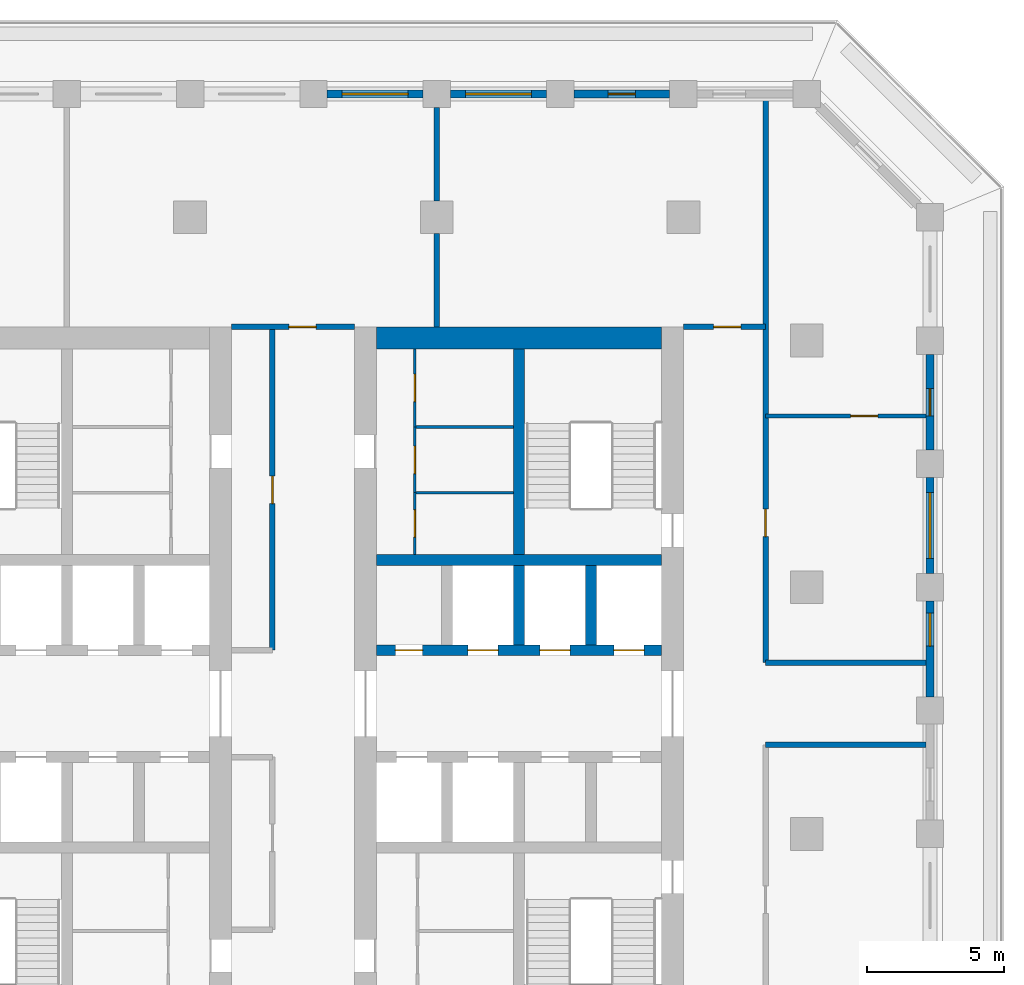
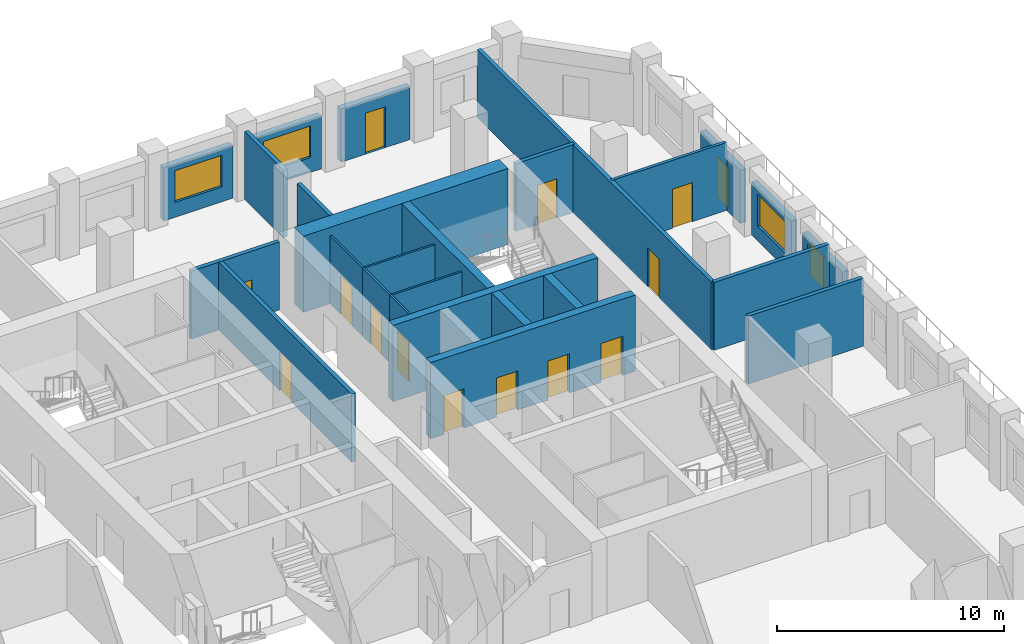
# One storey, part 7 of 16: 26 walls, 14 doors, 4 windows, 18 openings.
"""IFC4 building model written with IfcOpenShell, lengths in metres."""

from ifc_helpers import new_model, si_unit, direction, frame, frame_2d, origin, place, context, subcontext, project, spatial, rectangle, extrude, material, layer, layer_set, type_object, element, fill, save


model = new_model("IFC4")

# Units and contexts
model_context = context("Model", 3, precision=1e-05, world=origin(), true_north=direction((0.0, 1.0)))
body_context = subcontext(model_context, "Body", "Model", "MODEL_VIEW")
ifc_project = project(units=[si_unit("LENGTHUNIT", "METRE"), si_unit("AREAUNIT", "SQUARE_METRE"), si_unit("VOLUMEUNIT", "CUBIC_METRE"), si_unit("PLANEANGLEUNIT", "RADIAN"), si_unit("MASSUNIT", "GRAM", prefix="KILO")], contexts=[model_context])

# Site, building, storey
site_placement = place(None, origin())
site = spatial("IfcSite", under=ifc_project, at=site_placement, CompositionType="ELEMENT")
building_placement = place(site_placement, origin())
building = spatial("IfcBuilding", under=site, at=building_placement, Name="Corbel Stack Research Tower", CompositionType="ELEMENT")
storey_placement = place(building_placement, frame((0.0, 0.0, 169.10009765625)))
storey = spatial("IfcBuildingStorey", under=building, at=storey_placement, Name="L38", CompositionType="ELEMENT", Elevation=169.10009765625)

# Wall, openings, doors
ifc_material_1 = material(Name="Concrete C60/75", Category="concrete")
ifc_layer_1 = layer(ifc_material_1, 0.39990234375)
ifc_layer_set_1 = layer_set([ifc_layer_1], Name="Concrete C60/75")
wall_type_1 = type_object("IfcWallType", Name="CW-400-60", PredefinedType="SHEAR", material=ifc_layer_set_1)
wall_1_placement = place(storey_placement, frame((6.800048828125, 6.699951171875, 0.0), z_axis=(0.0, 0.0, 1.0), x_axis=(1.0, 0.0, 0.0)))
wall_1 = element("IfcWall", 1, at=wall_1_placement, inside=storey, type_object=wall_type_1, Name="East core wall, lobby north L38", PredefinedType="SHEAR", context=body_context, shape_type="SweptSolid", body=[
    extrude(rectangle(XDim=10.39990234375, YDim=0.39990234375, at=frame_2d((5.199951171875, 0.0))), origin(), (0.0, 0.0, 1.0), 4.099853515625),
])
opening_1_placement = place(wall_1_placement, frame((3.33740234375, 0.0, 0.0)))
opening_1 = element("IfcOpeningElement", 2, at=opening_1_placement, cuts=wall_1, Name="Opening LD-HR4", PredefinedType="OPENING", context=body_context, shape_type="SweptSolid", body=[
    extrude(rectangle(XDim=1.10009765625, YDim=2.10009765625, at=frame_2d((0.550048828125, 1.050048828125))), frame((0.0, 0.2099609375, 0.0), z_axis=(0.0, -1.0, 0.0), x_axis=(1.0, 0.0, 0.0)), (0.0, 0.0, 1.0), 0.419921875),
])
opening_2_placement = place(wall_1_placement, frame((5.96240234375, 0.0, 0.0)))
opening_2 = element("IfcOpeningElement", 3, at=opening_2_placement, cuts=wall_1, Name="Opening LD-HR5", PredefinedType="OPENING", context=body_context, shape_type="SweptSolid", body=[
    extrude(rectangle(XDim=1.10009765625, YDim=2.10009765625, at=frame_2d((0.550048828125, 1.050048828125))), frame((0.0, 0.2099609375, 0.0), z_axis=(0.0, -1.0, 0.0), x_axis=(1.0, 0.0, 0.0)), (0.0, 0.0, 1.0), 0.419921875),
])
opening_3_placement = place(wall_1_placement, frame((8.66259765625, 0.0, 0.0)))
opening_3 = element("IfcOpeningElement", 4, at=opening_3_placement, cuts=wall_1, Name="Opening LD-HR6", PredefinedType="OPENING", context=body_context, shape_type="SweptSolid", body=[
    extrude(rectangle(XDim=1.10009765625, YDim=2.10009765625, at=frame_2d((0.550048828125, 1.050048828125))), frame((0.0, 0.2099609375, 0.0), z_axis=(0.0, -1.0, 0.0), x_axis=(1.0, 0.0, 0.0)), (0.0, 0.0, 1.0), 0.419921875),
])
opening_4_placement = place(wall_1_placement, frame((0.6875, 0.0, 0.0)))
opening_4 = element("IfcOpeningElement", 5, at=opening_4_placement, cuts=wall_1, Name="Opening CR-E12-N1", PredefinedType="OPENING", context=body_context, shape_type="SweptSolid", body=[
    extrude(rectangle(XDim=1.0, YDim=2.10009765625, at=frame_2d((0.5, 1.050048828125))), frame((0.0, 0.2099609375, 0.0), z_axis=(0.0, -1.0, 0.0), x_axis=(1.0, 0.0, 0.0)), (0.0, 0.0, 1.0), 0.419921875),
])
ifc_material_2 = material(Name="Stainless steel landing door", Category="steel")
door_type_1 = type_object("IfcDoorType", Name="Lift landing door 1100 x 2100", OperationType="DOUBLE_DOOR_SLIDING", PredefinedType="DOOR", material=ifc_material_2)
door_1_placement = place(opening_1_placement, origin())
door_1 = element("IfcDoor", 6, at=door_1_placement, inside=storey, type_object=door_type_1, Name="Landing door HR4", OperationType="DOUBLE_DOOR_SLIDING", OverallHeight=2.10009765625, OverallWidth=1.10009765625, PredefinedType="DOOR", context=body_context, shape_type="SweptSolid", body=[
    extrude(rectangle(XDim=1.10009765625, YDim=2.10009765625, at=frame_2d((0.550048828125, 1.050048828125))), frame((0.0, 0.02490234375, 0.0), z_axis=(0.0, -1.0, 0.0), x_axis=(1.0, 0.0, 0.0)), (0.0, 0.0, 1.0), 0.050048828125),
])
fill(opening_1, door_1)
door_2_placement = place(opening_2_placement, origin())
door_2 = element("IfcDoor", 7, at=door_2_placement, inside=storey, type_object=door_type_1, Name="Landing door HR5", OperationType="DOUBLE_DOOR_SLIDING", OverallHeight=2.10009765625, OverallWidth=1.10009765625, PredefinedType="DOOR", context=body_context, shape_type="SweptSolid", body=[
    extrude(rectangle(XDim=1.10009765625, YDim=2.10009765625, at=frame_2d((0.550048828125, 1.050048828125))), frame((0.0, 0.02490234375, 0.0), z_axis=(0.0, -1.0, 0.0), x_axis=(1.0, 0.0, 0.0)), (0.0, 0.0, 1.0), 0.050048828125),
])
fill(opening_2, door_2)
door_3_placement = place(opening_3_placement, origin())
door_3 = element("IfcDoor", 8, at=door_3_placement, inside=storey, type_object=door_type_1, Name="Landing door HR6", OperationType="DOUBLE_DOOR_SLIDING", OverallHeight=2.10009765625, OverallWidth=1.10009765625, PredefinedType="DOOR", context=body_context, shape_type="SweptSolid", body=[
    extrude(rectangle(XDim=1.10009765625, YDim=2.10009765625, at=frame_2d((0.550048828125, 1.050048828125))), frame((0.0, 0.02490234375, 0.0), z_axis=(0.0, -1.0, 0.0), x_axis=(1.0, 0.0, 0.0)), (0.0, 0.0, 1.0), 0.050048828125),
])
fill(opening_3, door_3)
ifc_material_3 = material(Name="Painted steel door", Category="steel")
door_type_2 = type_object("IfcDoorType", Name="Service door 1000 x 2100 FD60 left hand", OperationType="SINGLE_SWING_LEFT", PredefinedType="DOOR", material=ifc_material_3)
door_4_placement = place(opening_4_placement, origin())
door_4 = element("IfcDoor", 9, at=door_4_placement, inside=storey, type_object=door_type_2, Name="Cleaner's store door E core", OperationType="SINGLE_SWING_LEFT", OverallHeight=2.10009765625, OverallWidth=1.0, PredefinedType="DOOR", context=body_context, shape_type="SweptSolid", body=[
    extrude(rectangle(XDim=1.0, YDim=2.10009765625, at=frame_2d((0.5, 1.050048828125))), frame((0.0, 0.02490234375, 0.0), z_axis=(0.0, -1.0, 0.0), x_axis=(1.0, 0.0, 0.0)), (0.0, 0.0, 1.0), 0.050048828125),
])
fill(opening_4, door_4)

# Walls
wall_2_placement = place(storey_placement, frame((6.800048828125, 10.0, 0.0), z_axis=(0.0, 0.0, 1.0), x_axis=(1.0, 0.0, 0.0)))
element("IfcWall", 10, at=wall_2_placement, inside=storey, type_object=wall_type_1, Name="East core wall, north row back L38", PredefinedType="SHEAR", context=body_context, shape_type="SweptSolid", body=[
    extrude(rectangle(XDim=10.39990234375, YDim=0.39990234375, at=frame_2d((5.199951171875, 0.0))), origin(), (0.0, 0.0, 1.0), 4.099853515625),
])
for number, where, z_axis, x_axis, name in (
    (11, (12.0, 6.89990234375, 0.0), (0.0, 0.0, 1.0), (0.0, 1.0, 0.0), "East core wall, north shaft 2 L38"),
    (12, (14.625, 6.89990234375, 0.0), (0.0, 0.0, 1.0), (0.0, 1.0, 0.0), "East core wall, north shaft 3 L38"),
):
    element("IfcWall", number, at=place(storey_placement, frame(where, z_axis=z_axis, x_axis=x_axis)), inside=storey, type_object=wall_type_1, Name=name, PredefinedType="SHEAR", context=body_context, shape_type="SweptSolid", body=[
        extrude(rectangle(XDim=2.900146484375, YDim=0.39990234375, at=frame_2d((1.4501953125, 0.0))), origin(), (0.0, 0.0, 1.0), 4.099853515625),
    ])
wall_3_placement = place(storey_placement, frame((12.0, 10.199951171875, 0.0), z_axis=(0.0, 0.0, 1.0), x_axis=(0.0, 1.0, 0.0)))
element("IfcWall", 13, at=wall_3_placement, inside=storey, type_object=wall_type_1, Name="East core wall, north stair and riser L38", PredefinedType="SHEAR", context=body_context, shape_type="SweptSolid", body=[
    extrude(rectangle(XDim=7.5, YDim=0.39990234375, at=frame_2d((3.75, 0.0))), origin(), (0.0, 0.0, 1.0), 4.099853515625),
])
ifc_material_4 = material(Name="Concrete C60/75", Category="concrete")
ifc_layer_2 = layer(ifc_material_4, 0.800048828125)
ifc_layer_set_2 = layer_set([ifc_layer_2], Name="Concrete C60/75")
wall_type_2 = type_object("IfcWallType", Name="CW-800-60", PredefinedType="SHEAR", material=ifc_layer_set_2)
wall_4_placement = place(storey_placement, frame((6.800048828125, 18.10009765625, 0.0), z_axis=(0.0, 0.0, 1.0), x_axis=(1.0, 0.0, 0.0)))
element("IfcWall", 14, at=wall_4_placement, inside=storey, type_object=wall_type_2, Name="East core wall, north end L38", PredefinedType="SHEAR", context=body_context, shape_type="SweptSolid", body=[
    extrude(rectangle(XDim=10.39990234375, YDim=0.800048828125, at=frame_2d((5.199951171875, 0.0))), origin(), (0.0, 0.0, 1.0), 4.099853515625),
])

# Wall, opening, door
ifc_material_5 = material(Name="Gypsum board")
ifc_layer_3 = layer(ifc_material_5, 0.10009765625)
ifc_layer_set_3 = layer_set([ifc_layer_3], Name="Gypsum board")
wall_type_3 = type_object("IfcWallType", Name="Core partition 100", PredefinedType="PARTITIONING", material=ifc_layer_set_3)
wall_5_placement = place(storey_placement, frame((8.199951171875, 10.199951171875, 0.0), z_axis=(0.0, 0.0, 1.0), x_axis=(0.0, 1.0, 0.0)))
wall_5 = element("IfcWall", 15, at=wall_5_placement, inside=storey, type_object=wall_type_3, Name="Core partition E", PredefinedType="PARTITIONING", context=body_context, shape_type="SweptSolid", body=[
    extrude(rectangle(XDim=2.25, YDim=0.10009765625, at=frame_2d((1.125, 0.0))), origin(), (0.0, 0.0, 1.0), 3.64990234375),
])
opening_5_placement = place(wall_5_placement, frame((0.625, 0.0, 0.0)))
opening_5 = element("IfcOpeningElement", 16, at=opening_5_placement, cuts=wall_5, Name="Opening CR-E12-R2-1000", PredefinedType="OPENING", context=body_context, shape_type="SweptSolid", body=[
    extrude(rectangle(XDim=1.0, YDim=2.10009765625, at=frame_2d((0.5, 1.050048828125))), frame((0.0, 0.06005859375, 0.0), z_axis=(0.0, -1.0, 0.0), x_axis=(1.0, 0.0, 0.0)), (0.0, 0.0, 1.0), 0.1201171875),
])
ifc_material_6 = material(Name="Painted steel door", Category="steel")
door_type_3 = type_object("IfcDoorType", Name="Riser door 1000 x 2100 FD60 left hand", OperationType="SINGLE_SWING_LEFT", PredefinedType="DOOR", material=ifc_material_6)
door_5_placement = place(opening_5_placement, origin())
door_5 = element("IfcDoor", 17, at=door_5_placement, inside=storey, type_object=door_type_3, Name="Mechanical riser door E core", OperationType="SINGLE_SWING_LEFT", OverallHeight=2.10009765625, OverallWidth=1.0, PredefinedType="DOOR", context=body_context, shape_type="SweptSolid", body=[
    extrude(rectangle(XDim=1.0, YDim=2.10009765625, at=frame_2d((0.5, 1.050048828125))), frame((0.0, 0.02490234375, 0.0), z_axis=(0.0, -1.0, 0.0), x_axis=(1.0, 0.0, 0.0)), (0.0, 0.0, 1.0), 0.050048828125),
])
fill(opening_5, door_5)

wall_6_placement = place(storey_placement, frame((8.199951171875, 12.449951171875, 0.0), z_axis=(0.0, 0.0, 1.0), x_axis=(0.0, 1.0, 0.0)))
wall_6 = element("IfcWall", 18, at=wall_6_placement, inside=storey, type_object=wall_type_3, Name="Core partition E", PredefinedType="PARTITIONING", context=body_context, shape_type="SweptSolid", body=[
    extrude(rectangle(XDim=2.400146484375, YDim=0.10009765625, at=frame_2d((1.2001953125, 0.0))), origin(), (0.0, 0.0, 1.0), 3.64990234375),
])
opening_6_placement = place(wall_6_placement, frame((0.699951171875, 0.0, 0.0)))
opening_6 = element("IfcOpeningElement", 19, at=opening_6_placement, cuts=wall_6, Name="Opening CR-E12-R3-1000", PredefinedType="OPENING", context=body_context, shape_type="SweptSolid", body=[
    extrude(rectangle(XDim=1.0, YDim=2.10009765625, at=frame_2d((0.5, 1.050048828125))), frame((0.0, 0.06005859375, 0.0), z_axis=(0.0, -1.0, 0.0), x_axis=(1.0, 0.0, 0.0)), (0.0, 0.0, 1.0), 0.1201171875),
])
ifc_material_7 = material(Name="Painted steel door", Category="steel")
door_type_4 = type_object("IfcDoorType", Name="Service door 1000 x 2100 FD30 right hand", OperationType="SINGLE_SWING_RIGHT", PredefinedType="DOOR", material=ifc_material_7)
door_6_placement = place(opening_6_placement, origin())
door_6 = element("IfcDoor", 20, at=door_6_placement, inside=storey, type_object=door_type_4, Name="Pantry door E core", OperationType="SINGLE_SWING_RIGHT", OverallHeight=2.10009765625, OverallWidth=1.0, PredefinedType="DOOR", context=body_context, shape_type="SweptSolid", body=[
    extrude(rectangle(XDim=1.0, YDim=2.10009765625, at=frame_2d((0.5, 1.050048828125))), frame((0.0, 0.02490234375, 0.0), z_axis=(0.0, -1.0, 0.0), x_axis=(1.0, 0.0, 0.0)), (0.0, 0.0, 1.0), 0.050048828125),
])
fill(opening_6, door_6)

wall_7_placement = place(storey_placement, frame((8.199951171875, 14.85009765625, 0.0), z_axis=(0.0, 0.0, 1.0), x_axis=(0.0, 1.0, 0.0)))
wall_7 = element("IfcWall", 21, at=wall_7_placement, inside=storey, type_object=wall_type_3, Name="Core partition E", PredefinedType="PARTITIONING", context=body_context, shape_type="SweptSolid", body=[
    extrude(rectangle(XDim=2.849853515625, YDim=0.10009765625, at=frame_2d((1.4248046875, 0.0))), origin(), (0.0, 0.0, 1.0), 3.64990234375),
])
opening_7_placement = place(wall_7_placement, frame((0.925048828125, 0.0, 0.0)))
opening_7 = element("IfcOpeningElement", 22, at=opening_7_placement, cuts=wall_7, Name="Opening CR-E12-R4-1000", PredefinedType="OPENING", context=body_context, shape_type="SweptSolid", body=[
    extrude(rectangle(XDim=1.0, YDim=2.10009765625, at=frame_2d((0.5, 1.050048828125))), frame((0.0, 0.06005859375, 0.0), z_axis=(0.0, -1.0, 0.0), x_axis=(1.0, 0.0, 0.0)), (0.0, 0.0, 1.0), 0.1201171875),
])
door_7_placement = place(opening_7_placement, origin())
door_7 = element("IfcDoor", 23, at=door_7_placement, inside=storey, type_object=door_type_3, Name="Electrical riser door E core", OperationType="SINGLE_SWING_LEFT", OverallHeight=2.10009765625, OverallWidth=1.0, PredefinedType="DOOR", context=body_context, shape_type="SweptSolid", body=[
    extrude(rectangle(XDim=1.0, YDim=2.10009765625, at=frame_2d((0.5, 1.050048828125))), frame((0.0, 0.02490234375, 0.0), z_axis=(0.0, -1.0, 0.0), x_axis=(1.0, 0.0, 0.0)), (0.0, 0.0, 1.0), 0.050048828125),
])
fill(opening_7, door_7)

# Walls
for number, where, z_axis, x_axis, name in (
    (24, (8.199951171875, 12.449951171875, 0.0), (0.0, 0.0, 1.0), (1.0, 0.0, 0.0), "Core partition E"),
    (25, (8.199951171875, 14.85009765625, 0.0), (0.0, 0.0, 1.0), (1.0, 0.0, 0.0), "Core partition E"),
):
    element("IfcWall", number, at=place(storey_placement, frame(where, z_axis=z_axis, x_axis=x_axis)), inside=storey, type_object=wall_type_3, Name=name, PredefinedType="PARTITIONING", context=body_context, shape_type="SweptSolid", body=[
        extrude(rectangle(XDim=3.60009765625, YDim=0.10009765625, at=frame_2d((1.800048828125, 0.0))), origin(), (0.0, 0.0, 1.0), 3.64990234375),
    ])

# Wall, opening, door
ifc_material_8 = material(Name="Fire-rated gypsum board partition on steel studs", Category="steel")
ifc_layer_4 = layer(ifc_material_8, 0.199951171875)
ifc_layer_set_4 = layer_set([ifc_layer_4], Name="Fire-rated gypsum board partition on steel studs")
wall_type_4 = type_object("IfcWallType", Name="Fire-rated partition 200 EI 60", PredefinedType="PARTITIONING", material=ifc_layer_set_4)
wall_8_placement = place(storey_placement, frame((3.0, 6.699951171875, 0.0), z_axis=(0.0, 0.0, 1.0), x_axis=(0.0, 1.0, 0.0)))
wall_8 = element("IfcWall", 26, at=wall_8_placement, inside=storey, type_object=wall_type_4, Name="Partition L38-015", PredefinedType="PARTITIONING", context=body_context, shape_type="SweptSolid", body=[
    extrude(rectangle(XDim=11.800048828125, YDim=0.199951171875, at=frame_2d((5.89990234375, 0.0))), origin(), (0.0, 0.0, 1.0), 3.64990234375),
])
opening_8_placement = place(wall_8_placement, frame((5.35009765625, 0.0, 0.0)))
opening_8 = element("IfcOpeningElement", 27, at=opening_8_placement, cuts=wall_8, Name="Opening B5V1-014", PredefinedType="OPENING", context=body_context, shape_type="SweptSolid", body=[
    extrude(rectangle(XDim=1.0, YDim=2.10009765625, at=frame_2d((0.5, 1.050048828125))), frame((0.0, 0.10986328125, 0.0), z_axis=(0.0, -1.0, 0.0), x_axis=(1.0, 0.0, 0.0)), (0.0, 0.0, 1.0), 0.219970703125),
])
ifc_material_9 = material(Name="Painted steel fire door", Category="steel")
door_type_5 = type_object("IfcDoorType", Name="Fire door FD30S 1000 x 2100", OperationType="NOTDEFINED", PredefinedType="DOOR", material=ifc_material_9)
door_8_placement = place(opening_8_placement, origin())
door_8 = element("IfcDoor", 28, at=door_8_placement, inside=storey, type_object=door_type_5, Name="Door B5V1-014", OperationType="SINGLE_SWING_LEFT", OverallHeight=2.10009765625, OverallWidth=1.0, PredefinedType="DOOR", context=body_context, shape_type="SweptSolid", body=[
    extrude(rectangle(XDim=1.0, YDim=2.10009765625, at=frame_2d((0.5, 1.050048828125))), frame((0.0, 0.02490234375, 0.0), z_axis=(0.0, -1.0, 0.0), x_axis=(1.0, 0.0, 0.0)), (0.0, 0.0, 1.0), 0.050048828125),
])
fill(opening_8, door_8)

# Walls
for number, where, z_axis, x_axis, name in (
    (29, (9.0, 18.5, 0.0), (0.0, 0.0, 1.0), (0.0, 1.0, 0.0), "Partition L38-018"),
    (30, (9.0, 23.10009765625, 0.0), (0.0, 0.0, 1.0), (0.0, 1.0, 0.0), "Partition L38-019"),
):
    element("IfcWall", number, at=place(storey_placement, frame(where, z_axis=z_axis, x_axis=x_axis)), inside=storey, type_object=wall_type_4, Name=name, PredefinedType="PARTITIONING", context=body_context, shape_type="SweptSolid", body=[
        extrude(rectangle(XDim=3.39990234375, YDim=0.199951171875, at=frame_2d((1.699951171875, 0.0))), origin(), (0.0, 0.0, 1.0), 3.64990234375),
    ])

# Wall, opening, door
wall_9_placement = place(storey_placement, frame((21.0, 26.85009765625, 0.0), z_axis=(0.0, 0.0, 1.0), x_axis=(0.0, -1.0, 0.0)))
wall_9 = element("IfcWall", 31, at=wall_9_placement, inside=storey, type_object=wall_type_4, Name="Partition L38-021", PredefinedType="PARTITIONING", context=body_context, shape_type="SweptSolid", body=[
    extrude(rectangle(XDim=20.60009765625, YDim=0.199951171875, at=frame_2d((10.300048828125, 0.0))), origin(), (0.0, 0.0, 1.0), 3.64990234375),
])
opening_9_placement = place(wall_9_placement, frame((15.0, 0.0, 0.0)))
opening_9 = element("IfcOpeningElement", 32, at=opening_9_placement, cuts=wall_9, Name="Opening B5V1-024", PredefinedType="OPENING", context=body_context, shape_type="SweptSolid", body=[
    extrude(rectangle(XDim=1.0, YDim=2.10009765625, at=frame_2d((0.5, 1.050048828125))), frame((0.0, 0.10986328125, 0.0), z_axis=(0.0, -1.0, 0.0), x_axis=(1.0, 0.0, 0.0)), (0.0, 0.0, 1.0), 0.219970703125),
])
door_9_placement = place(opening_9_placement, origin())
door_9 = element("IfcDoor", 33, at=door_9_placement, inside=storey, type_object=door_type_5, Name="Door B5V1-024", OperationType="SINGLE_SWING_RIGHT", OverallHeight=2.10009765625, OverallWidth=1.0, PredefinedType="DOOR", context=body_context, shape_type="SweptSolid", body=[
    extrude(rectangle(XDim=1.0, YDim=2.10009765625, at=frame_2d((0.5, 1.050048828125))), frame((0.0, 0.02490234375, 0.0), z_axis=(0.0, -1.0, 0.0), x_axis=(1.0, 0.0, 0.0)), (0.0, 0.0, 1.0), 0.050048828125),
])
fill(opening_9, door_9)

# Walls
for number, where, z_axis, x_axis, name in (
    (34, (21.0, 3.25, 0.0), (0.0, 0.0, 1.0), (1.0, 0.0, 0.0), "Partition L38-036"),
    (35, (21.0, 6.25, 0.0), (0.0, 0.0, 1.0), (1.0, 0.0, 0.0), "Partition L38-038"),
):
    element("IfcWall", number, at=place(storey_placement, frame(where, z_axis=z_axis, x_axis=x_axis)), inside=storey, type_object=wall_type_4, Name=name, PredefinedType="PARTITIONING", context=body_context, shape_type="SweptSolid", body=[
        extrude(rectangle(XDim=5.85009765625, YDim=0.199951171875, at=frame_2d((2.925048828125, 0.0))), origin(), (0.0, 0.0, 1.0), 3.64990234375),
    ])

# Wall, opening, door
wall_10_placement = place(storey_placement, frame((1.5, 18.5, 0.0), z_axis=(0.0, 0.0, 1.0), x_axis=(1.0, 0.0, 0.0)))
wall_10 = element("IfcWall", 36, at=wall_10_placement, inside=storey, type_object=wall_type_4, Name="Partition L38-043", PredefinedType="PARTITIONING", context=body_context, shape_type="SweptSolid", body=[
    extrude(rectangle(XDim=4.5, YDim=0.199951171875, at=frame_2d((2.25, 0.0))), origin(), (0.0, 0.0, 1.0), 3.64990234375),
])
opening_10_placement = place(wall_10_placement, frame((2.10009765625, 0.0, 0.0)))
opening_10 = element("IfcOpeningElement", 37, at=opening_10_placement, cuts=wall_10, Name="Opening B5V1-021", PredefinedType="OPENING", context=body_context, shape_type="SweptSolid", body=[
    extrude(rectangle(XDim=1.0, YDim=2.10009765625, at=frame_2d((0.5, 1.050048828125))), frame((0.0, 0.10986328125, 0.0), z_axis=(0.0, -1.0, 0.0), x_axis=(1.0, 0.0, 0.0)), (0.0, 0.0, 1.0), 0.219970703125),
])
door_10_placement = place(opening_10_placement, origin())
door_10 = element("IfcDoor", 38, at=door_10_placement, inside=storey, type_object=door_type_5, Name="Door B5V1-021", OperationType="SINGLE_SWING_RIGHT", OverallHeight=2.10009765625, OverallWidth=1.0, PredefinedType="DOOR", context=body_context, shape_type="SweptSolid", body=[
    extrude(rectangle(XDim=1.0, YDim=2.10009765625, at=frame_2d((0.5, 1.050048828125))), frame((0.0, 0.02490234375, 0.0), z_axis=(0.0, -1.0, 0.0), x_axis=(1.0, 0.0, 0.0)), (0.0, 0.0, 1.0), 0.050048828125),
])
fill(opening_10, door_10)

wall_11_placement = place(storey_placement, frame((18.0, 18.5, 0.0), z_axis=(0.0, 0.0, 1.0), x_axis=(1.0, 0.0, 0.0)))
wall_11 = element("IfcWall", 39, at=wall_11_placement, inside=storey, type_object=wall_type_4, Name="Partition L38-044", PredefinedType="PARTITIONING", context=body_context, shape_type="SweptSolid", body=[
    extrude(rectangle(XDim=3.0, YDim=0.199951171875, at=frame_2d((1.5, 0.0))), origin(), (0.0, 0.0, 1.0), 3.64990234375),
])
opening_11_placement = place(wall_11_placement, frame((1.10009765625, 0.0, 0.0)))
opening_11 = element("IfcOpeningElement", 40, at=opening_11_placement, cuts=wall_11, Name="Opening B5V1-022", PredefinedType="OPENING", context=body_context, shape_type="SweptSolid", body=[
    extrude(rectangle(XDim=1.0, YDim=2.10009765625, at=frame_2d((0.5, 1.050048828125))), frame((0.0, 0.10986328125, 0.0), z_axis=(0.0, -1.0, 0.0), x_axis=(1.0, 0.0, 0.0)), (0.0, 0.0, 1.0), 0.219970703125),
])
door_11_placement = place(opening_11_placement, origin())
door_11 = element("IfcDoor", 41, at=door_11_placement, inside=storey, type_object=door_type_5, Name="Door B5V1-022", OperationType="SINGLE_SWING_RIGHT", OverallHeight=2.10009765625, OverallWidth=1.0, PredefinedType="DOOR", context=body_context, shape_type="SweptSolid", body=[
    extrude(rectangle(XDim=1.0, YDim=2.10009765625, at=frame_2d((0.5, 1.050048828125))), frame((0.0, 0.02490234375, 0.0), z_axis=(0.0, -1.0, 0.0), x_axis=(1.0, 0.0, 0.0)), (0.0, 0.0, 1.0), 0.050048828125),
])
fill(opening_11, door_11)

ifc_material_10 = material(Name="Gypsum board partition on steel studs", Category="steel")
ifc_layer_5 = layer(ifc_material_10, 0.14990234375)
ifc_layer_set_5 = layer_set([ifc_layer_5], Name="Gypsum board partition on steel studs")
wall_type_5 = type_object("IfcWallType", Name="Partition 150", PredefinedType="PARTITIONING", material=ifc_layer_set_5)
wall_12_placement = place(storey_placement, frame((21.0, 15.25, 0.0), z_axis=(0.0, 0.0, 1.0), x_axis=(1.0, 0.0, 0.0)))
wall_12 = element("IfcWall", 42, at=wall_12_placement, inside=storey, type_object=wall_type_5, Name="Partition L38-041", PredefinedType="PARTITIONING", context=body_context, shape_type="SweptSolid", body=[
    extrude(rectangle(XDim=5.85009765625, YDim=0.14990234375, at=frame_2d((2.925048828125, 0.0))), origin(), (0.0, 0.0, 1.0), 3.64990234375),
])
opening_12_placement = place(wall_12_placement, frame((3.10009765625, 0.0, 0.0)))
opening_12 = element("IfcOpeningElement", 43, at=opening_12_placement, cuts=wall_12, Name="Opening B5V1-019", PredefinedType="OPENING", context=body_context, shape_type="SweptSolid", body=[
    extrude(rectangle(XDim=1.0, YDim=2.10009765625, at=frame_2d((0.5, 1.050048828125))), frame((0.0, 0.0849609375, 0.0), z_axis=(0.0, -1.0, 0.0), x_axis=(1.0, 0.0, 0.0)), (0.0, 0.0, 1.0), 0.169921875),
])
ifc_material_11 = material(Name="Painted timber door", Category="wood")
door_type_6 = type_object("IfcDoorType", Name="Single door 1000 x 2100", OperationType="NOTDEFINED", PredefinedType="DOOR", material=ifc_material_11)
door_12_placement = place(opening_12_placement, origin())
door_12 = element("IfcDoor", 44, at=door_12_placement, inside=storey, type_object=door_type_6, Name="Door B5V1-019", OperationType="SINGLE_SWING_RIGHT", OverallHeight=2.10009765625, OverallWidth=1.0, PredefinedType="DOOR", context=body_context, shape_type="SweptSolid", body=[
    extrude(rectangle(XDim=1.0, YDim=2.10009765625, at=frame_2d((0.5, 1.050048828125))), frame((0.0, 0.02490234375, 0.0), z_axis=(0.0, -1.0, 0.0), x_axis=(1.0, 0.0, 0.0)), (0.0, 0.0, 1.0), 0.050048828125),
])
fill(opening_12, door_12)

# Wall, opening, window
ifc_material_12 = material(Name="Concrete C45/55", Category="concrete")
ifc_layer_6 = layer(ifc_material_12, 0.300048828125)
ifc_layer_set_6 = layer_set([ifc_layer_6], Name="Concrete C45/55")
wall_type_6 = type_object("IfcWallType", Name="Terracotta-faced concrete wall 300", PredefinedType="SOLIDWALL", material=ifc_layer_set_6)
wall_13_placement = place(storey_placement, frame((27.0, 8.5, 0.0), z_axis=(0.0, 0.0, 1.0), x_axis=(0.0, -1.0, 0.0)))
wall_13 = element("IfcWall", 45, at=wall_13_placement, inside=storey, type_object=wall_type_6, Name="Facade wall L38 E07", PredefinedType="SOLIDWALL", context=body_context, shape_type="SweptSolid", body=[
    extrude(rectangle(XDim=3.5, YDim=0.300048828125, at=frame_2d((1.75, 0.0))), origin(), (0.0, 0.0, 1.0), 2.849853515625),
])
opening_13_placement = place(wall_13_placement, frame((0.449951171875, 0.0, 0.800048828125)))
opening_13 = element("IfcOpeningElement", 46, at=opening_13_placement, cuts=wall_13, Name="Opening W2", PredefinedType="OPENING", context=body_context, shape_type="SweptSolid", body=[
    extrude(rectangle(XDim=1.199951171875, YDim=1.699951171875, at=frame_2d((0.60009765625, 0.85009765625))), frame((0.0, 0.159912109375, 0.0), z_axis=(0.0, -1.0, 0.0), x_axis=(1.0, 0.0, 0.0)), (0.0, 0.0, 1.0), 0.320068359375),
])
ifc_material_13 = material(Name="Aluminium frame, clear double glazing", Category="aluminium")
window_type_1 = type_object("IfcWindowType", Name="Window W2 1200 x 1700", PartitioningType="SINGLE_PANEL", PredefinedType="WINDOW", material=ifc_material_13)
window_1_placement = place(opening_13_placement, origin())
window_1 = element("IfcWindow", 47, at=window_1_placement, inside=storey, type_object=window_type_1, Name="Window W2 L38 E07", OverallHeight=1.699951171875, OverallWidth=1.199951171875, PartitioningType="SINGLE_PANEL", PredefinedType="WINDOW", context=body_context, shape_type="SweptSolid", body=[
    extrude(rectangle(XDim=1.199951171875, YDim=1.699951171875, at=frame_2d((0.60009765625, 0.85009765625))), frame((0.0, 0.030029296875, 0.0), z_axis=(0.0, -1.0, 0.0), x_axis=(1.0, 0.0, 0.0)), (0.0, 0.0, 1.0), 0.06005859375),
])
fill(opening_13, window_1)

wall_14_placement = place(storey_placement, frame((27.0, 13.0, 0.0), z_axis=(0.0, 0.0, 1.0), x_axis=(0.0, -1.0, 0.0)))
wall_14 = element("IfcWall", 48, at=wall_14_placement, inside=storey, type_object=wall_type_6, Name="Facade wall L38 E08", PredefinedType="SOLIDWALL", context=body_context, shape_type="SweptSolid", body=[
    extrude(rectangle(XDim=3.5, YDim=0.300048828125, at=frame_2d((1.75, 0.0))), origin(), (0.0, 0.0, 1.0), 2.849853515625),
])
opening_14_placement = place(wall_14_placement, frame((0.550048828125, 0.0, 0.800048828125)))
opening_14 = element("IfcOpeningElement", 49, at=opening_14_placement, cuts=wall_14, Name="Opening W1", PredefinedType="OPENING", context=body_context, shape_type="SweptSolid", body=[
    extrude(rectangle(XDim=2.39990234375, YDim=1.699951171875, at=frame_2d((1.199951171875, 0.85009765625))), frame((0.0, 0.159912109375, 0.0), z_axis=(0.0, -1.0, 0.0), x_axis=(1.0, 0.0, 0.0)), (0.0, 0.0, 1.0), 0.320068359375),
])
ifc_material_14 = material(Name="Aluminium frame, clear double glazing", Category="aluminium")
window_type_2 = type_object("IfcWindowType", Name="Window W1 2400 x 1700", PartitioningType="SINGLE_PANEL", PredefinedType="WINDOW", material=ifc_material_14)
window_2_placement = place(opening_14_placement, origin())
window_2 = element("IfcWindow", 50, at=window_2_placement, inside=storey, type_object=window_type_2, Name="Window W1 L38 E08", OverallHeight=1.699951171875, OverallWidth=2.39990234375, PartitioningType="SINGLE_PANEL", PredefinedType="WINDOW", context=body_context, shape_type="SweptSolid", body=[
    extrude(rectangle(XDim=2.39990234375, YDim=1.699951171875, at=frame_2d((1.199951171875, 0.85009765625))), frame((0.0, 0.030029296875, 0.0), z_axis=(0.0, -1.0, 0.0), x_axis=(1.0, 0.0, 0.0)), (0.0, 0.0, 1.0), 0.06005859375),
])
fill(opening_14, window_2)

# Wall, opening, door
wall_15_placement = place(storey_placement, frame((27.0, 17.5, 0.0), z_axis=(0.0, 0.0, 1.0), x_axis=(0.0, -1.0, 0.0)))
wall_15 = element("IfcWall", 51, at=wall_15_placement, inside=storey, type_object=wall_type_6, Name="Facade wall L38 E09", PredefinedType="SOLIDWALL", context=body_context, shape_type="SweptSolid", body=[
    extrude(rectangle(XDim=3.5, YDim=0.300048828125, at=frame_2d((1.75, 0.0))), origin(), (0.0, 0.0, 1.0), 2.849853515625),
])
opening_15_placement = place(wall_15_placement, frame((1.25, 0.0, 0.0)))
opening_15 = element("IfcOpeningElement", 52, at=opening_15_placement, cuts=wall_15, Name="Opening L38-B05", PredefinedType="OPENING", context=body_context, shape_type="SweptSolid", body=[
    extrude(rectangle(XDim=1.0, YDim=2.199951171875, at=frame_2d((0.5, 1.10009765625))), frame((0.0, 0.159912109375, 0.0), z_axis=(0.0, -1.0, 0.0), x_axis=(1.0, 0.0, 0.0)), (0.0, 0.0, 1.0), 0.320068359375),
])
ifc_material_15 = material(Name="Aluminium frame, clear double glazing", Category="aluminium")
door_type_7 = type_object("IfcDoorType", Name="Balcony door BD1 1000 x 2200", OperationType="NOTDEFINED", PredefinedType="DOOR", material=ifc_material_15)
door_13_placement = place(opening_15_placement, origin())
door_13 = element("IfcDoor", 53, at=door_13_placement, inside=storey, type_object=door_type_7, Name="Balcony door L38-B05", OperationType="SINGLE_SWING_LEFT", OverallHeight=2.199951171875, OverallWidth=1.0, PredefinedType="DOOR", context=body_context, shape_type="SweptSolid", body=[
    extrude(rectangle(XDim=1.0, YDim=2.199951171875, at=frame_2d((0.5, 1.10009765625))), frame((0.0, 0.02490234375, 0.0), z_axis=(0.0, -1.0, 0.0), x_axis=(1.0, 0.0, 0.0)), (0.0, 0.0, 1.0), 0.050048828125),
])
fill(opening_15, door_13)

wall_16_placement = place(storey_placement, frame((14.0, 27.0, 0.0), z_axis=(0.0, 0.0, 1.0), x_axis=(1.0, 0.0, 0.0)))
wall_16 = element("IfcWall", 54, at=wall_16_placement, inside=storey, type_object=wall_type_6, Name="Facade wall L38 N02", PredefinedType="SOLIDWALL", context=body_context, shape_type="SweptSolid", body=[
    extrude(rectangle(XDim=3.5, YDim=0.300048828125, at=frame_2d((1.75, 0.0))), origin(), (0.0, 0.0, 1.0), 2.849853515625),
])
opening_16_placement = place(wall_16_placement, frame((1.25, 0.0, 0.0)))
opening_16 = element("IfcOpeningElement", 55, at=opening_16_placement, cuts=wall_16, Name="Opening L38-B07", PredefinedType="OPENING", context=body_context, shape_type="SweptSolid", body=[
    extrude(rectangle(XDim=1.0, YDim=2.199951171875, at=frame_2d((0.5, 1.10009765625))), frame((0.0, 0.159912109375, 0.0), z_axis=(0.0, -1.0, 0.0), x_axis=(1.0, 0.0, 0.0)), (0.0, 0.0, 1.0), 0.320068359375),
])
door_14_placement = place(opening_16_placement, origin())
door_14 = element("IfcDoor", 56, at=door_14_placement, inside=storey, type_object=door_type_7, Name="Balcony door L38-B07", OperationType="SINGLE_SWING_RIGHT", OverallHeight=2.199951171875, OverallWidth=1.0, PredefinedType="DOOR", context=body_context, shape_type="SweptSolid", body=[
    extrude(rectangle(XDim=1.0, YDim=2.199951171875, at=frame_2d((0.5, 1.10009765625))), frame((0.0, 0.02490234375, 0.0), z_axis=(0.0, -1.0, 0.0), x_axis=(1.0, 0.0, 0.0)), (0.0, 0.0, 1.0), 0.050048828125),
])
fill(opening_16, door_14)

# Wall, opening, window
wall_17_placement = place(storey_placement, frame((9.5, 27.0, 0.0), z_axis=(0.0, 0.0, 1.0), x_axis=(1.0, 0.0, 0.0)))
wall_17 = element("IfcWall", 57, at=wall_17_placement, inside=storey, type_object=wall_type_6, Name="Facade wall L38 N03", PredefinedType="SOLIDWALL", context=body_context, shape_type="SweptSolid", body=[
    extrude(rectangle(XDim=3.5, YDim=0.300048828125, at=frame_2d((1.75, 0.0))), origin(), (0.0, 0.0, 1.0), 2.849853515625),
])
opening_17_placement = place(wall_17_placement, frame((0.550048828125, 0.0, 0.800048828125)))
opening_17 = element("IfcOpeningElement", 58, at=opening_17_placement, cuts=wall_17, Name="Opening W1", PredefinedType="OPENING", context=body_context, shape_type="SweptSolid", body=[
    extrude(rectangle(XDim=2.39990234375, YDim=1.699951171875, at=frame_2d((1.199951171875, 0.85009765625))), frame((0.0, 0.159912109375, 0.0), z_axis=(0.0, -1.0, 0.0), x_axis=(1.0, 0.0, 0.0)), (0.0, 0.0, 1.0), 0.320068359375),
])
window_3_placement = place(opening_17_placement, origin())
window_3 = element("IfcWindow", 59, at=window_3_placement, inside=storey, type_object=window_type_2, Name="Window W1 L38 N03", OverallHeight=1.699951171875, OverallWidth=2.39990234375, PartitioningType="SINGLE_PANEL", PredefinedType="WINDOW", context=body_context, shape_type="SweptSolid", body=[
    extrude(rectangle(XDim=2.39990234375, YDim=1.699951171875, at=frame_2d((1.199951171875, 0.85009765625))), frame((0.0, 0.030029296875, 0.0), z_axis=(0.0, -1.0, 0.0), x_axis=(1.0, 0.0, 0.0)), (0.0, 0.0, 1.0), 0.06005859375),
])
fill(opening_17, window_3)

wall_18_placement = place(storey_placement, frame((5.0, 27.0, 0.0), z_axis=(0.0, 0.0, 1.0), x_axis=(1.0, 0.0, 0.0)))
wall_18 = element("IfcWall", 60, at=wall_18_placement, inside=storey, type_object=wall_type_6, Name="Facade wall L38 N04", PredefinedType="SOLIDWALL", context=body_context, shape_type="SweptSolid", body=[
    extrude(rectangle(XDim=3.5, YDim=0.300048828125, at=frame_2d((1.75, 0.0))), origin(), (0.0, 0.0, 1.0), 2.849853515625),
])
opening_18_placement = place(wall_18_placement, frame((0.550048828125, 0.0, 0.800048828125)))
opening_18 = element("IfcOpeningElement", 61, at=opening_18_placement, cuts=wall_18, Name="Opening W1", PredefinedType="OPENING", context=body_context, shape_type="SweptSolid", body=[
    extrude(rectangle(XDim=2.39990234375, YDim=1.699951171875, at=frame_2d((1.199951171875, 0.85009765625))), frame((0.0, 0.159912109375, 0.0), z_axis=(0.0, -1.0, 0.0), x_axis=(1.0, 0.0, 0.0)), (0.0, 0.0, 1.0), 0.320068359375),
])
window_4_placement = place(opening_18_placement, origin())
window_4 = element("IfcWindow", 62, at=window_4_placement, inside=storey, type_object=window_type_2, Name="Window W1 L38 N04", OverallHeight=1.699951171875, OverallWidth=2.39990234375, PartitioningType="SINGLE_PANEL", PredefinedType="WINDOW", context=body_context, shape_type="SweptSolid", body=[
    extrude(rectangle(XDim=2.39990234375, YDim=1.699951171875, at=frame_2d((1.199951171875, 0.85009765625))), frame((0.0, 0.030029296875, 0.0), z_axis=(0.0, -1.0, 0.0), x_axis=(1.0, 0.0, 0.0)), (0.0, 0.0, 1.0), 0.06005859375),
])
fill(opening_18, window_4)

save(model, "model.ifc")
